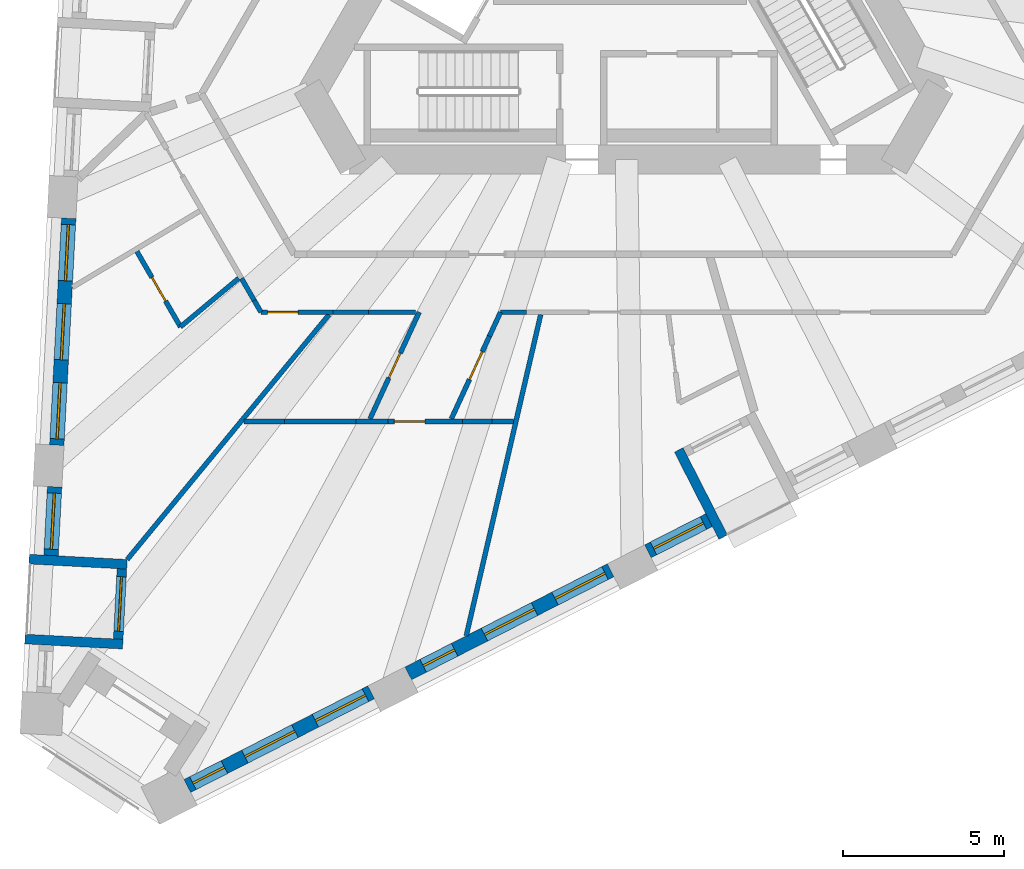
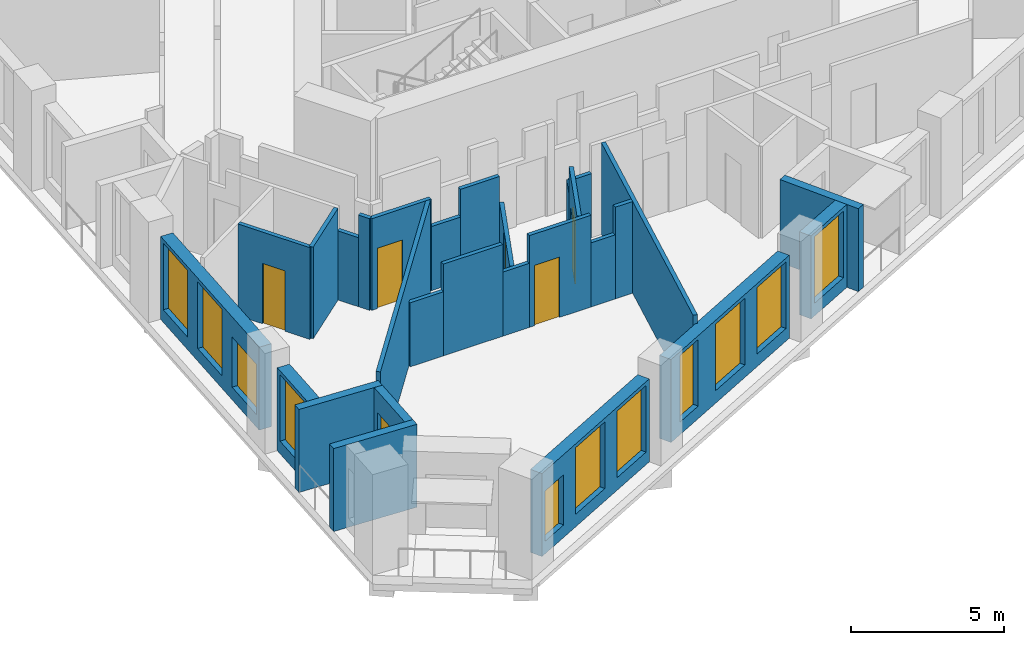
# One storey, part 2 of 13: 28 walls, 11 windows, 6 doors, 17 openings.
"""IFC4 building model written with IfcOpenShell, lengths in metres."""

from ifc_helpers import new_model, si_unit, direction, frame, frame_2d, origin, place, context, subcontext, project, spatial, rectangle, extrude, material, layer, layer_set, type_object, element, fill, save


model = new_model("IFC4")

# Units and contexts
model_context = context("Model", 3, precision=1e-05, world=origin(), true_north=direction((0.0, 1.0)))
body_context = subcontext(model_context, "Body", "Model", "MODEL_VIEW")
ifc_project = project(units=[si_unit("LENGTHUNIT", "METRE"), si_unit("AREAUNIT", "SQUARE_METRE"), si_unit("VOLUMEUNIT", "CUBIC_METRE"), si_unit("PLANEANGLEUNIT", "RADIAN"), si_unit("MASSUNIT", "GRAM", prefix="KILO")], contexts=[model_context])

# Site, building, storey
site_placement = place(None, origin())
site = spatial("IfcSite", under=ifc_project, at=site_placement, CompositionType="ELEMENT")
building_placement = place(site_placement, origin())
building = spatial("IfcBuilding", under=site, at=building_placement, Name="Tramontana Tower", CompositionType="ELEMENT")
storey_placement = place(building_placement, frame((0.0, 0.0, 145.60009765625)))
storey = spatial("IfcBuildingStorey", under=building, at=storey_placement, Name="L33", CompositionType="ELEMENT", Elevation=145.60009765625)

# Wall, openings, windows
ifc_material_1 = material(Name="Precast concrete 60 MPa", Category="concrete")
ifc_layer_1 = layer(ifc_material_1, 0.449951171875)
ifc_layer_set_1 = layer_set([ifc_layer_1], Name="Precast concrete 60 MPa, 450 mm")
wall_type_1 = type_object("IfcWallType", Name="EW1 Stone-faced precast wall 450", PredefinedType="SOLIDWALL", material=ifc_layer_set_1)
wall_1_placement = place(storey_placement, frame((-17.274169921875, -8.128662109375, 0.0), z_axis=(0.0, 0.0, 1.0), x_axis=(-0.052339570873, -0.998629345313, 0.0)))
wall_1 = element("IfcWall", 1, at=wall_1_placement, inside=storey, type_object=wall_type_1, Name="External wall L33 face 0 bay 5", PredefinedType="SOLIDWALL", context=body_context, shape_type="SweptSolid", body=[
    extrude(rectangle(XDim=7.071533203125, YDim=0.449951171875, at=frame_2d((3.53564453125, 0.0))), origin(), (0.0, 0.0, 1.0), 3.2998046875),
])
opening_1_placement = place(wall_1_placement, frame((0.1953125, 0.0, 0.5)))
opening_1 = element("IfcOpeningElement", 2, at=opening_1_placement, cuts=wall_1, Name="Opening M2", PredefinedType="OPENING", context=body_context, shape_type="SweptSolid", body=[
    extrude(rectangle(XDim=1.75, YDim=2.64990234375, at=frame_2d((0.875, 1.324951171875))), frame((0.0, 0.23486328125, 0.0), z_axis=(0.0, -1.0, 0.0), x_axis=(1.0, 0.0, 0.0)), (0.0, 0.0, 1.0), 0.469970703125),
])
opening_2_placement = place(wall_1_placement, frame((2.660888671875, 0.0, 0.5)))
opening_2 = element("IfcOpeningElement", 3, at=opening_2_placement, cuts=wall_1, Name="Opening M2", PredefinedType="OPENING", context=body_context, shape_type="SweptSolid", body=[
    extrude(rectangle(XDim=1.75, YDim=2.64990234375, at=frame_2d((0.875, 1.324951171875))), frame((0.0, 0.23486328125, 0.0), z_axis=(0.0, -1.0, 0.0), x_axis=(1.0, 0.0, 0.0)), (0.0, 0.0, 1.0), 0.469970703125),
])
opening_3_placement = place(wall_1_placement, frame((5.126220703125, 0.0, 0.5)))
opening_3 = element("IfcOpeningElement", 4, at=opening_3_placement, cuts=wall_1, Name="Opening M2L", PredefinedType="OPENING", context=body_context, shape_type="SweptSolid", body=[
    extrude(rectangle(XDim=1.75, YDim=2.0, at=frame_2d((0.875, 1.0))), frame((0.0, 0.23486328125, 0.0), z_axis=(0.0, -1.0, 0.0), x_axis=(1.0, 0.0, 0.0)), (0.0, 0.0, 1.0), 0.469970703125),
])
ifc_material_2 = material(Name="Aluminum frame, double glazing unit", Category="aluminium")
window_type_1 = type_object("IfcWindowType", Name="M2 Window 1.75 x 2.65", PartitioningType="SINGLE_PANEL", PredefinedType="WINDOW", material=ifc_material_2)
window_1_placement = place(opening_1_placement, origin())
window_1 = element("IfcWindow", 5, at=window_1_placement, inside=storey, type_object=window_type_1, Name="Window M2 L33 face 0 module 13", OverallHeight=2.64990234375, OverallWidth=1.75, PartitioningType="SINGLE_PANEL", PredefinedType="WINDOW", context=body_context, shape_type="SweptSolid", body=[
    extrude(rectangle(XDim=1.75, YDim=2.64990234375, at=frame_2d((0.875, 1.324951171875))), frame((0.0, 0.030029296875, 0.0), z_axis=(0.0, -1.0, 0.0), x_axis=(1.0, 0.0, 0.0)), (0.0, 0.0, 1.0), 0.06005859375),
])
fill(opening_1, window_1)
window_2_placement = place(opening_2_placement, origin())
window_2 = element("IfcWindow", 6, at=window_2_placement, inside=storey, type_object=window_type_1, Name="Window M2 L33 face 0 module 14", OverallHeight=2.64990234375, OverallWidth=1.75, PartitioningType="SINGLE_PANEL", PredefinedType="WINDOW", context=body_context, shape_type="SweptSolid", body=[
    extrude(rectangle(XDim=1.75, YDim=2.64990234375, at=frame_2d((0.875, 1.324951171875))), frame((0.0, 0.030029296875, 0.0), z_axis=(0.0, -1.0, 0.0), x_axis=(1.0, 0.0, 0.0)), (0.0, 0.0, 1.0), 0.06005859375),
])
fill(opening_2, window_2)
ifc_material_3 = material(Name="Aluminum frame, double glazing unit", Category="aluminium")
window_type_2 = type_object("IfcWindowType", Name="M2L Window 1.75 x 2", PartitioningType="SINGLE_PANEL", PredefinedType="WINDOW", material=ifc_material_3)
window_3_placement = place(opening_3_placement, origin())
window_3 = element("IfcWindow", 7, at=window_3_placement, inside=storey, type_object=window_type_2, Name="Window M2L L33 face 0 module 15", OverallHeight=2.0, OverallWidth=1.75, PartitioningType="SINGLE_PANEL", PredefinedType="WINDOW", context=body_context, shape_type="SweptSolid", body=[
    extrude(rectangle(XDim=1.75, YDim=2.0, at=frame_2d((0.875, 1.0))), frame((0.0, 0.030029296875, 0.0), z_axis=(0.0, -1.0, 0.0), x_axis=(1.0, 0.0, 0.0)), (0.0, 0.0, 1.0), 0.06005859375),
])
fill(opening_3, window_3)

# Wall, opening, window
wall_2_placement = place(storey_placement, frame((-17.712158203125, -16.48876953125, 0.0), z_axis=(0.0, 0.0, 1.0), x_axis=(-0.05234931875, -0.998628834366, 0.0)))
wall_2 = element("IfcWall", 8, at=wall_2_placement, inside=storey, type_object=wall_type_1, Name="External wall L33 face 0 bay 6", PredefinedType="SOLIDWALL", context=body_context, shape_type="SweptSolid", body=[
    extrude(rectangle(XDim=2.140625, YDim=0.449951171875, at=frame_2d((1.0703125, 0.0))), origin(), (0.0, 0.0, 1.0), 3.2998046875),
])
opening_4_placement = place(wall_2_placement, frame((0.1953125, 0.0, 0.5)))
opening_4 = element("IfcOpeningElement", 9, at=opening_4_placement, cuts=wall_2, Name="Opening M2", PredefinedType="OPENING", context=body_context, shape_type="SweptSolid", body=[
    extrude(rectangle(XDim=1.75, YDim=2.64990234375, at=frame_2d((0.875, 1.324951171875))), frame((0.0, 0.23486328125, 0.0), z_axis=(0.0, -1.0, 0.0), x_axis=(1.0, 0.0, 0.0)), (0.0, 0.0, 1.0), 0.469970703125),
])
window_4_placement = place(opening_4_placement, origin())
window_4 = element("IfcWindow", 10, at=window_4_placement, inside=storey, type_object=window_type_1, Name="Window M2 L33 face 0 module 16", OverallHeight=2.64990234375, OverallWidth=1.75, PartitioningType="SINGLE_PANEL", PredefinedType="WINDOW", context=body_context, shape_type="SweptSolid", body=[
    extrude(rectangle(XDim=1.75, YDim=2.64990234375, at=frame_2d((0.875, 1.324951171875))), frame((0.0, 0.030029296875, 0.0), z_axis=(0.0, -1.0, 0.0), x_axis=(1.0, 0.0, 0.0)), (0.0, 0.0, 1.0), 0.06005859375),
])
fill(opening_4, window_4)

# Wall, openings, windows
wall_3_placement = place(storey_placement, frame((-13.580810546875, -25.802734375, 0.0), z_axis=(0.0, 0.0, 1.0), x_axis=(0.891010191031, 0.453983303085, 0.0)))
wall_3 = element("IfcWall", 11, at=wall_3_placement, inside=storey, type_object=wall_type_1, Name="External wall L33 face 1 bay 1", PredefinedType="SOLIDWALL", context=body_context, shape_type="SweptSolid", body=[
    extrude(rectangle(XDim=6.421630859375, YDim=0.449951171875, at=frame_2d((3.2109375, 0.0))), origin(), (0.0, 0.0, 1.0), 3.2998046875),
])
opening_5_placement = place(wall_3_placement, frame((0.1953125, 0.0, 0.5)))
opening_5 = element("IfcOpeningElement", 12, at=opening_5_placement, cuts=wall_3, Name="Opening N2L", PredefinedType="OPENING", context=body_context, shape_type="SweptSolid", body=[
    extrude(rectangle(XDim=1.10009765625, YDim=2.0, at=frame_2d((0.550048828125, 1.0))), frame((0.0, 0.23486328125, 0.0), z_axis=(0.0, -1.0, 0.0), x_axis=(1.0, 0.0, 0.0)), (0.0, 0.0, 1.0), 0.469970703125),
])
opening_6_placement = place(wall_3_placement, frame((2.0107421875, 0.0, 0.5)))
opening_6 = element("IfcOpeningElement", 13, at=opening_6_placement, cuts=wall_3, Name="Opening M2", PredefinedType="OPENING", context=body_context, shape_type="SweptSolid", body=[
    extrude(rectangle(XDim=1.75, YDim=2.64990234375, at=frame_2d((0.875, 1.324951171875))), frame((0.0, 0.23486328125, 0.0), z_axis=(0.0, -1.0, 0.0), x_axis=(1.0, 0.0, 0.0)), (0.0, 0.0, 1.0), 0.469970703125),
])
opening_7_placement = place(wall_3_placement, frame((4.476318359375, 0.0, 0.5)))
opening_7 = element("IfcOpeningElement", 14, at=opening_7_placement, cuts=wall_3, Name="Opening M2", PredefinedType="OPENING", context=body_context, shape_type="SweptSolid", body=[
    extrude(rectangle(XDim=1.75, YDim=2.64990234375, at=frame_2d((0.875, 1.324951171875))), frame((0.0, 0.23486328125, 0.0), z_axis=(0.0, -1.0, 0.0), x_axis=(1.0, 0.0, 0.0)), (0.0, 0.0, 1.0), 0.469970703125),
])
window_5_placement = place(opening_6_placement, origin())
window_5 = element("IfcWindow", 15, at=window_5_placement, inside=storey, type_object=window_type_1, Name="Window M2 L33 face 1 module 2", OverallHeight=2.64990234375, OverallWidth=1.75, PartitioningType="SINGLE_PANEL", PredefinedType="WINDOW", context=body_context, shape_type="SweptSolid", body=[
    extrude(rectangle(XDim=1.75, YDim=2.64990234375, at=frame_2d((0.875, 1.324951171875))), frame((0.0, 0.030029296875, 0.0), z_axis=(0.0, -1.0, 0.0), x_axis=(1.0, 0.0, 0.0)), (0.0, 0.0, 1.0), 0.06005859375),
])
fill(opening_6, window_5)
window_6_placement = place(opening_7_placement, origin())
window_6 = element("IfcWindow", 16, at=window_6_placement, inside=storey, type_object=window_type_1, Name="Window M2 L33 face 1 module 3", OverallHeight=2.64990234375, OverallWidth=1.75, PartitioningType="SINGLE_PANEL", PredefinedType="WINDOW", context=body_context, shape_type="SweptSolid", body=[
    extrude(rectangle(XDim=1.75, YDim=2.64990234375, at=frame_2d((0.875, 1.324951171875))), frame((0.0, 0.030029296875, 0.0), z_axis=(0.0, -1.0, 0.0), x_axis=(1.0, 0.0, 0.0)), (0.0, 0.0, 1.0), 0.06005859375),
])
fill(opening_7, window_6)
ifc_material_4 = material(Name="Aluminum frame, double glazing unit", Category="aluminium")
window_type_3 = type_object("IfcWindowType", Name="N2L Window 1.1 x 2", PartitioningType="SINGLE_PANEL", PredefinedType="WINDOW", material=ifc_material_4)
window_7_placement = place(opening_5_placement, origin())
window_7 = element("IfcWindow", 17, at=window_7_placement, inside=storey, type_object=window_type_3, Name="Window N2L L33 face 1 module 1", OverallHeight=2.0, OverallWidth=1.10009765625, PartitioningType="SINGLE_PANEL", PredefinedType="WINDOW", context=body_context, shape_type="SweptSolid", body=[
    extrude(rectangle(XDim=1.10009765625, YDim=2.0, at=frame_2d((0.550048828125, 1.0))), frame((0.0, 0.030029296875, 0.0), z_axis=(0.0, -1.0, 0.0), x_axis=(1.0, 0.0, 0.0)), (0.0, 0.0, 1.0), 0.06005859375),
])
fill(opening_5, window_7)

wall_4_placement = place(storey_placement, frame((-6.70068359375, -22.29736328125, 0.0), z_axis=(0.0, 0.0, 1.0), x_axis=(0.891004189171, 0.45399508244, 0.0)))
wall_4 = element("IfcWall", 18, at=wall_4_placement, inside=storey, type_object=wall_type_1, Name="External wall L33 face 1 bay 2", PredefinedType="SOLIDWALL", context=body_context, shape_type="SweptSolid", body=[
    extrude(rectangle(XDim=7.071533203125, YDim=0.449951171875, at=frame_2d((3.53564453125, 0.0))), origin(), (0.0, 0.0, 1.0), 3.2998046875),
])
opening_8_placement = place(wall_4_placement, frame((0.520263671875, 0.0, 0.5)))
opening_8 = element("IfcOpeningElement", 19, at=opening_8_placement, cuts=wall_4, Name="Opening N2", PredefinedType="OPENING", context=body_context, shape_type="SweptSolid", body=[
    extrude(rectangle(XDim=1.10009765625, YDim=2.64990234375, at=frame_2d((0.550048828125, 1.324951171875))), frame((0.0, 0.23486328125, 0.0), z_axis=(0.0, -1.0, 0.0), x_axis=(1.0, 0.0, 0.0)), (0.0, 0.0, 1.0), 0.469970703125),
])
opening_9_placement = place(wall_4_placement, frame((2.660888671875, 0.0, 0.5)))
opening_9 = element("IfcOpeningElement", 20, at=opening_9_placement, cuts=wall_4, Name="Opening M2", PredefinedType="OPENING", context=body_context, shape_type="SweptSolid", body=[
    extrude(rectangle(XDim=1.75, YDim=2.64990234375, at=frame_2d((0.875, 1.324951171875))), frame((0.0, 0.23486328125, 0.0), z_axis=(0.0, -1.0, 0.0), x_axis=(1.0, 0.0, 0.0)), (0.0, 0.0, 1.0), 0.469970703125),
])
opening_10_placement = place(wall_4_placement, frame((5.126220703125, 0.0, 0.5)))
opening_10 = element("IfcOpeningElement", 21, at=opening_10_placement, cuts=wall_4, Name="Opening M2", PredefinedType="OPENING", context=body_context, shape_type="SweptSolid", body=[
    extrude(rectangle(XDim=1.75, YDim=2.64990234375, at=frame_2d((0.875, 1.324951171875))), frame((0.0, 0.23486328125, 0.0), z_axis=(0.0, -1.0, 0.0), x_axis=(1.0, 0.0, 0.0)), (0.0, 0.0, 1.0), 0.469970703125),
])
window_8_placement = place(opening_9_placement, origin())
window_8 = element("IfcWindow", 22, at=window_8_placement, inside=storey, type_object=window_type_1, Name="Window M2 L33 face 1 module 5", OverallHeight=2.64990234375, OverallWidth=1.75, PartitioningType="SINGLE_PANEL", PredefinedType="WINDOW", context=body_context, shape_type="SweptSolid", body=[
    extrude(rectangle(XDim=1.75, YDim=2.64990234375, at=frame_2d((0.875, 1.324951171875))), frame((0.0, 0.030029296875, 0.0), z_axis=(0.0, -1.0, 0.0), x_axis=(1.0, 0.0, 0.0)), (0.0, 0.0, 1.0), 0.06005859375),
])
fill(opening_9, window_8)
window_9_placement = place(opening_10_placement, origin())
window_9 = element("IfcWindow", 23, at=window_9_placement, inside=storey, type_object=window_type_1, Name="Window M2 L33 face 1 module 6", OverallHeight=2.64990234375, OverallWidth=1.75, PartitioningType="SINGLE_PANEL", PredefinedType="WINDOW", context=body_context, shape_type="SweptSolid", body=[
    extrude(rectangle(XDim=1.75, YDim=2.64990234375, at=frame_2d((0.875, 1.324951171875))), frame((0.0, 0.030029296875, 0.0), z_axis=(0.0, -1.0, 0.0), x_axis=(1.0, 0.0, 0.0)), (0.0, 0.0, 1.0), 0.06005859375),
])
fill(opening_10, window_9)
ifc_material_5 = material(Name="Aluminum frame, double glazing unit", Category="aluminium")
window_type_4 = type_object("IfcWindowType", Name="N2 Window 1.1 x 2.65", PartitioningType="SINGLE_PANEL", PredefinedType="WINDOW", material=ifc_material_5)
window_10_placement = place(opening_8_placement, origin())
window_10 = element("IfcWindow", 24, at=window_10_placement, inside=storey, type_object=window_type_4, Name="Window N2 L33 face 1 module 4", OverallHeight=2.64990234375, OverallWidth=1.10009765625, PartitioningType="SINGLE_PANEL", PredefinedType="WINDOW", context=body_context, shape_type="SweptSolid", body=[
    extrude(rectangle(XDim=1.10009765625, YDim=2.64990234375, at=frame_2d((0.550048828125, 1.324951171875))), frame((0.0, 0.030029296875, 0.0), z_axis=(0.0, -1.0, 0.0), x_axis=(1.0, 0.0, 0.0)), (0.0, 0.0, 1.0), 0.06005859375),
])
fill(opening_8, window_10)

# Wall, opening, window
wall_5_placement = place(storey_placement, frame((0.75830078125, -18.496826171875, 0.0), z_axis=(0.0, 0.0, 1.0), x_axis=(0.890979432498, 0.454043666254, 0.0)))
wall_5 = element("IfcWall", 25, at=wall_5_placement, inside=storey, type_object=wall_type_1, Name="External wall L33 face 1 bay 3", PredefinedType="SOLIDWALL", context=body_context, shape_type="SweptSolid", body=[
    extrude(rectangle(XDim=2.140625, YDim=0.449951171875, at=frame_2d((1.0703125, 0.0))), origin(), (0.0, 0.0, 1.0), 3.2998046875),
])
opening_11_placement = place(wall_5_placement, frame((0.1953125, 0.0, 0.5)))
opening_11 = element("IfcOpeningElement", 26, at=opening_11_placement, cuts=wall_5, Name="Opening M2", PredefinedType="OPENING", context=body_context, shape_type="SweptSolid", body=[
    extrude(rectangle(XDim=1.75, YDim=2.64990234375, at=frame_2d((0.875, 1.324951171875))), frame((0.0, 0.23486328125, 0.0), z_axis=(0.0, -1.0, 0.0), x_axis=(1.0, 0.0, 0.0)), (0.0, 0.0, 1.0), 0.469970703125),
])
window_11_placement = place(opening_11_placement, origin())
window_11 = element("IfcWindow", 27, at=window_11_placement, inside=storey, type_object=window_type_1, Name="Window M2 L33 face 1 module 7", OverallHeight=2.64990234375, OverallWidth=1.75, PartitioningType="SINGLE_PANEL", PredefinedType="WINDOW", context=body_context, shape_type="SweptSolid", body=[
    extrude(rectangle(XDim=1.75, YDim=2.64990234375, at=frame_2d((0.875, 1.324951171875))), frame((0.0, 0.030029296875, 0.0), z_axis=(0.0, -1.0, 0.0), x_axis=(1.0, 0.0, 0.0)), (0.0, 0.0, 1.0), 0.06005859375),
])
fill(opening_11, window_11)

# Wall, opening, door
ifc_material_6 = material(Name="Precast concrete 60 MPa", Category="concrete")
ifc_layer_2 = layer(ifc_material_6, 0.300048828125)
ifc_layer_set_2 = layer_set([ifc_layer_2], Name="LW1 Stone-faced loggia wall 300")
wall_type_2 = type_object("IfcWallType", Name="LW1 Stone-faced loggia wall 300", PredefinedType="SOLIDWALL", material=ifc_layer_set_2)
wall_6_placement = place(storey_placement, frame((-15.617919921875, -19.04248046875, 0.0), z_axis=(0.0, 0.0, 1.0), x_axis=(-0.052383338583, -0.998627050424, 0.0)))
wall_6 = element("IfcWall", 28, at=wall_6_placement, inside=storey, type_object=wall_type_2, Name="Loggia wall L33 G3S0.16", PredefinedType="SOLIDWALL", context=body_context, shape_type="SweptSolid", body=[
    extrude(rectangle(XDim=2.1904296875, YDim=0.300048828125, at=frame_2d((1.09521484375, 0.0))), origin(), (0.0, 0.0, 1.0), 3.2998046875),
])
opening_12_placement = place(wall_6_placement, frame((0.245361328125, 0.0, 0.0)))
opening_12 = element("IfcOpeningElement", 29, at=opening_12_placement, cuts=wall_6, Name="Opening BD-3S0-16", PredefinedType="OPENING", context=body_context, shape_type="SweptSolid", body=[
    extrude(rectangle(XDim=1.699951171875, YDim=2.449951171875, at=frame_2d((0.85009765625, 1.22509765625))), frame((0.0, 0.159912109375, 0.0), z_axis=(0.0, -1.0, 0.0), x_axis=(1.0, 0.0, 0.0)), (0.0, 0.0, 1.0), 0.320068359375),
])
ifc_material_7 = material(Name="Aluminum frame, double glazing unit", Category="aluminium")
door_type_1 = type_object("IfcDoorType", Name="BD2 Sliding door 1.7 x 2.45", OperationType="SLIDING_TO_LEFT", PredefinedType="DOOR", material=ifc_material_7)
door_1_placement = place(opening_12_placement, origin())
door_1 = element("IfcDoor", 30, at=door_1_placement, inside=storey, type_object=door_type_1, Name="Loggia door L33 G3S0.16", OperationType="SLIDING_TO_LEFT", OverallHeight=2.449951171875, OverallWidth=1.699951171875, PredefinedType="DOOR", context=body_context, shape_type="SweptSolid", body=[
    extrude(rectangle(XDim=1.699951171875, YDim=2.449951171875, at=frame_2d((0.85009765625, 1.22509765625))), frame((0.0, 0.02490234375, 0.0), z_axis=(0.0, -1.0, 0.0), x_axis=(1.0, 0.0, 0.0)), (0.0, 0.0, 1.0), 0.050048828125),
])
fill(opening_12, door_1)

# Walls
for number, where, z_axis, x_axis, name in (
    (31, (-18.506103515625, -18.74072265625, 0.0), (0.0, 0.0, 1.0), (0.998628643661, -0.052352956549, 0.0), "Loggia return L33 G3S0.16a"),
    (32, (-18.636474609375, -21.22802734375, 0.0), (0.0, 0.0, 1.0), (0.998632825615, -0.05227312506, 0.0), "Loggia return L33 G3S0.16b"),
):
    element("IfcWall", number, at=place(storey_placement, frame(where, z_axis=z_axis, x_axis=x_axis)), inside=storey, type_object=wall_type_2, Name=name, PredefinedType="SOLIDWALL", context=body_context, shape_type="SweptSolid", body=[
        extrude(rectangle(XDim=3.0498046875, YDim=0.300048828125, at=frame_2d((1.52490234375, 0.0))), origin(), (0.0, 0.0, 1.0), 3.2998046875),
    ])
wall_7_placement = place(storey_placement, frame((3.105712890625, -18.058349609375, 0.0), z_axis=(0.0, 0.0, 1.0), x_axis=(-0.453988129332, 0.891007731968, 0.0)))
element("IfcWall", 33, at=wall_7_placement, inside=storey, type_object=wall_type_2, Name="Loggia return L33 G3S1.7a", PredefinedType="SOLIDWALL", context=body_context, shape_type="SweptSolid", body=[
    extrude(rectangle(XDim=3.05029296875, YDim=0.300048828125, at=frame_2d((1.525146484375, 0.0))), origin(), (0.0, 0.0, 1.0), 3.2998046875),
])
ifc_material_8 = material(Name="Gypsum board partition")
ifc_layer_3 = layer(ifc_material_8, 0.14990234375)
ifc_layer_set_3 = layer_set([ifc_layer_3], Name="PARTITION 150")
wall_type_3 = type_object("IfcWallType", Name="PARTITION 150", PredefinedType="PARTITIONING", material=ifc_layer_set_3)
wall_8_placement = place(storey_placement, frame((-15.452392578125, -18.750732421875, 0.0), z_axis=(0.0, 0.0, 1.0), x_axis=(0.63595836467, 0.771723369094, 0.0)))
element("IfcWall", 34, at=wall_8_placement, inside=storey, type_object=wall_type_3, Name="Wall v31-pw01", PredefinedType="PARTITIONING", context=body_context, shape_type="SweptSolid", body=[
    extrude(rectangle(XDim=9.88134765625, YDim=0.14990234375, at=frame_2d((4.940673828125, 0.0))), origin(), (0.0, 0.0, 1.0), 3.64990234375),
])

# Wall, opening, door
wall_9_placement = place(storey_placement, frame((-15.1494140625, -9.160400390625, 0.0), z_axis=(0.0, 0.0, 1.0), x_axis=(0.499995396135, -0.866028061811, 0.0)))
wall_9 = element("IfcWall", 35, at=wall_9_placement, inside=storey, type_object=wall_type_3, Name="Wall v31-pw06", PredefinedType="PARTITIONING", context=body_context, shape_type="SweptSolid", body=[
    extrude(rectangle(XDim=2.7099609375, YDim=0.14990234375, at=frame_2d((1.35498046875, 0.0))), origin(), (0.0, 0.0, 1.0), 3.64990234375),
])
opening_13_placement = place(wall_9_placement, frame((0.929931640625, 0.0, 0.0)))
opening_13 = element("IfcOpeningElement", 36, at=opening_13_placement, cuts=wall_9, Name="Opening B3B-15", PredefinedType="OPENING", context=body_context, shape_type="SweptSolid", body=[
    extrude(rectangle(XDim=0.85009765625, YDim=2.39990234375, at=frame_2d((0.425048828125, 1.199951171875))), frame((0.0, 0.0849609375, 0.0), z_axis=(0.0, -1.0, 0.0), x_axis=(1.0, 0.0, 0.0)), (0.0, 0.0, 1.0), 0.169921875),
])
ifc_material_9 = material(Name="Painted timber", Category="wood")
door_type_2 = type_object("IfcDoorType", Name="DOOR BATH 850", OperationType="SINGLE_SWING_LEFT", PredefinedType="DOOR", material=ifc_material_9)
door_2_placement = place(opening_13_placement, origin())
door_2 = element("IfcDoor", 37, at=door_2_placement, inside=storey, type_object=door_type_2, Name="Door B3B-15", OperationType="SINGLE_SWING_LEFT", OverallHeight=2.39990234375, OverallWidth=0.85009765625, PredefinedType="DOOR", context=body_context, shape_type="SweptSolid", body=[
    extrude(rectangle(XDim=0.85009765625, YDim=2.39990234375, at=frame_2d((0.425048828125, 1.199951171875))), frame((0.0, 0.02490234375, 0.0), z_axis=(0.0, -1.0, 0.0), x_axis=(1.0, 0.0, 0.0)), (0.0, 0.0, 1.0), 0.050048828125),
])
fill(opening_13, door_2)

# Walls
wall_10_placement = place(storey_placement, frame((-11.982421875, -9.995849609375, 0.0), z_axis=(0.0, 0.0, 1.0), x_axis=(-0.767915886213, -0.640550694091, 0.0)))
element("IfcWall", 38, at=wall_10_placement, inside=storey, type_object=wall_type_3, Name="Wall v31-pw09", PredefinedType="PARTITIONING", context=body_context, shape_type="SweptSolid", body=[
    extrude(rectangle(XDim=2.359619140625, YDim=0.14990234375, at=frame_2d((1.1796875, 0.0))), origin(), (0.0, 0.0, 1.0), 3.64990234375),
])
wall_11_placement = place(storey_placement, frame((-11.287109375, -11.050048828125, 0.0), z_axis=(0.0, 0.0, 1.0), x_axis=(-0.499922110319, 0.866070368743, 0.0)))
element("IfcWall", 39, at=wall_11_placement, inside=storey, type_object=wall_type_3, Name="Wall v31-pw11-0", PredefinedType="PARTITIONING", context=body_context, shape_type="SweptSolid", body=[
    extrude(rectangle(XDim=0.42333984375, YDim=0.14990234375, at=frame_2d((0.211669921875, 0.0))), origin(), (0.0, 0.0, 1.0), 3.64990234375),
])
wall_12_placement = place(storey_placement, frame((-11.498779296875, -10.683349609375, 0.0), z_axis=(0.0, 0.0, 1.0), x_axis=(-0.50012328804, 0.865954211699, 0.0)))
element("IfcWall", 40, at=wall_12_placement, inside=storey, type_object=wall_type_3, Name="Wall v31-pw11-1", PredefinedType="PARTITIONING", context=body_context, shape_type="SweptSolid", body=[
    extrude(rectangle(XDim=0.790771484375, YDim=0.14990234375, at=frame_2d((0.3955078125, 0.0))), origin(), (0.0, 0.0, 1.0), 2.75),
])

# Wall, opening, door
wall_13_placement = place(storey_placement, frame((-7.89501953125, -14.375, 0.0), z_axis=(0.0, 0.0, 1.0), x_axis=(0.418745248329, 0.908103747929, 0.0)))
wall_13 = element("IfcWall", 41, at=wall_13_placement, inside=storey, type_object=wall_type_3, Name="Wall v31-pw16-0", PredefinedType="PARTITIONING", context=body_context, shape_type="SweptSolid", body=[
    extrude(rectangle(XDim=3.661376953125, YDim=0.14990234375, at=frame_2d((1.83056640625, 0.0))), origin(), (0.0, 0.0, 1.0), 2.5498046875),
])
opening_14_placement = place(wall_13_placement, frame((1.40576171875, 0.0, 0.0)))
opening_14 = element("IfcOpeningElement", 42, at=opening_14_placement, cuts=wall_13, Name="Opening B3B-10", PredefinedType="OPENING", context=body_context, shape_type="SweptSolid", body=[
    extrude(rectangle(XDim=0.85009765625, YDim=2.39990234375, at=frame_2d((0.425048828125, 1.199951171875))), frame((0.0, 0.0849609375, 0.0), z_axis=(0.0, -1.0, 0.0), x_axis=(1.0, 0.0, 0.0)), (0.0, 0.0, 1.0), 0.169921875),
])
door_3_placement = place(opening_14_placement, origin())
door_3 = element("IfcDoor", 43, at=door_3_placement, inside=storey, type_object=door_type_2, Name="Door B3B-10", OperationType="SINGLE_SWING_RIGHT", OverallHeight=2.39990234375, OverallWidth=0.85009765625, PredefinedType="DOOR", context=body_context, shape_type="SweptSolid", body=[
    extrude(rectangle(XDim=0.85009765625, YDim=2.39990234375, at=frame_2d((0.425048828125, 1.199951171875))), frame((0.0, 0.02490234375, 0.0), z_axis=(0.0, -1.0, 0.0), x_axis=(1.0, 0.0, 0.0)), (0.0, 0.0, 1.0), 0.050048828125),
])
fill(opening_14, door_3)

# Walls
wall_14_placement = place(storey_placement, frame((-6.48291015625, -11.050048828125, 0.0), z_axis=(0.0, 0.0, 1.0), x_axis=(-1.0, 0.0, 0.0)))
element("IfcWall", 44, at=wall_14_placement, inside=storey, type_object=wall_type_3, Name="Wall v31-pw20-1", PredefinedType="PARTITIONING", context=body_context, shape_type="SweptSolid", body=[
    extrude(rectangle(XDim=1.461669921875, YDim=0.14990234375, at=frame_2d((0.73095703125, 0.0))), origin(), (0.0, 0.0, 1.0), 3.64990234375),
])
wall_15_placement = place(storey_placement, frame((-7.944580078125, -11.050048828125, 0.0), z_axis=(0.0, 0.0, 1.0), x_axis=(-1.0, 0.0, 0.0)))
element("IfcWall", 45, at=wall_15_placement, inside=storey, type_object=wall_type_3, Name="Wall v31-pw20-2", PredefinedType="PARTITIONING", context=body_context, shape_type="SweptSolid", body=[
    extrude(rectangle(XDim=1.103759765625, YDim=0.14990234375, at=frame_2d((0.5517578125, 0.0))), origin(), (0.0, 0.0, 1.0), 2.5498046875),
])

# Wall, opening, door
wall_16_placement = place(storey_placement, frame((-9.04833984375, -11.050048828125, 0.0), z_axis=(0.0, 0.0, 1.0), x_axis=(-1.0, 0.0, 0.0)))
wall_16 = element("IfcWall", 46, at=wall_16_placement, inside=storey, type_object=wall_type_3, Name="Wall v31-pw20-3", PredefinedType="PARTITIONING", context=body_context, shape_type="SweptSolid", body=[
    extrude(rectangle(XDim=2.23876953125, YDim=0.14990234375, at=frame_2d((1.119384765625, 0.0))), origin(), (0.0, 0.0, 1.0), 3.64990234375),
])
opening_15_placement = place(wall_16_placement, frame((1.08349609375, 0.0, 0.0)))
opening_15 = element("IfcOpeningElement", 47, at=opening_15_placement, cuts=wall_16, Name="Opening B3B-12", PredefinedType="OPENING", context=body_context, shape_type="SweptSolid", body=[
    extrude(rectangle(XDim=0.949951171875, YDim=2.39990234375, at=frame_2d((0.47509765625, 1.199951171875))), frame((0.0, 0.0849609375, 0.0), z_axis=(0.0, -1.0, 0.0), x_axis=(1.0, 0.0, 0.0)), (0.0, 0.0, 1.0), 0.169921875),
])
ifc_material_10 = material(Name="Painted timber", Category="wood")
door_type_3 = type_object("IfcDoorType", Name="DOOR ROOM 950", OperationType="SINGLE_SWING_LEFT", PredefinedType="DOOR", material=ifc_material_10)
door_4_placement = place(opening_15_placement, origin())
door_4 = element("IfcDoor", 48, at=door_4_placement, inside=storey, type_object=door_type_3, Name="Door B3B-12", OperationType="SINGLE_SWING_RIGHT", OverallHeight=2.39990234375, OverallWidth=0.949951171875, PredefinedType="DOOR", context=body_context, shape_type="SweptSolid", body=[
    extrude(rectangle(XDim=0.949951171875, YDim=2.39990234375, at=frame_2d((0.47509765625, 1.199951171875))), frame((0.0, 0.02490234375, 0.0), z_axis=(0.0, -1.0, 0.0), x_axis=(1.0, 0.0, 0.0)), (0.0, 0.0, 1.0), 0.050048828125),
])
fill(opening_15, door_4)

# Wall
wall_17_placement = place(storey_placement, frame((-3.8291015625, -11.050048828125, 0.0), z_axis=(0.0, 0.0, 1.0), x_axis=(-0.418663560872, -0.908141411234, 0.0)))
element("IfcWall", 49, at=wall_17_placement, inside=storey, type_object=wall_type_3, Name="Wall v31-pw23-0", PredefinedType="PARTITIONING", context=body_context, shape_type="SweptSolid", body=[
    extrude(rectangle(XDim=0.823974609375, YDim=0.14990234375, at=frame_2d((0.412109375, 0.0))), origin(), (0.0, 0.0, 1.0), 2.5498046875),
])

# Wall, opening, door
wall_18_placement = place(storey_placement, frame((-4.174072265625, -11.79833984375, 0.0), z_axis=(0.0, 0.0, 1.0), x_axis=(-0.418768969378, -0.908092809291, 0.0)))
wall_18 = element("IfcWall", 50, at=wall_18_placement, inside=storey, type_object=wall_type_3, Name="Wall v31-pw23-1", PredefinedType="PARTITIONING", context=body_context, shape_type="SweptSolid", body=[
    extrude(rectangle(XDim=2.83740234375, YDim=0.14990234375, at=frame_2d((1.418701171875, 0.0))), origin(), (0.0, 0.0, 1.0), 3.64990234375),
])
opening_16_placement = place(wall_18_placement, frame((0.53173828125, 0.0, 0.0)))
opening_16 = element("IfcOpeningElement", 51, at=opening_16_placement, cuts=wall_18, Name="Opening B3B-09", PredefinedType="OPENING", context=body_context, shape_type="SweptSolid", body=[
    extrude(rectangle(XDim=0.949951171875, YDim=2.39990234375, at=frame_2d((0.47509765625, 1.199951171875))), frame((0.0, 0.0849609375, 0.0), z_axis=(0.0, -1.0, 0.0), x_axis=(1.0, 0.0, 0.0)), (0.0, 0.0, 1.0), 0.169921875),
])
door_5_placement = place(opening_16_placement, origin())
door_5 = element("IfcDoor", 52, at=door_5_placement, inside=storey, type_object=door_type_3, Name="Door B3B-09", OperationType="SINGLE_SWING_LEFT", OverallHeight=2.39990234375, OverallWidth=0.949951171875, PredefinedType="DOOR", context=body_context, shape_type="SweptSolid", body=[
    extrude(rectangle(XDim=0.949951171875, YDim=2.39990234375, at=frame_2d((0.47509765625, 1.199951171875))), frame((0.0, 0.02490234375, 0.0), z_axis=(0.0, -1.0, 0.0), x_axis=(1.0, 0.0, 0.0)), (0.0, 0.0, 1.0), 0.050048828125),
])
fill(opening_16, door_5)

# Walls
wall_19_placement = place(storey_placement, frame((-3.42578125, -14.449951171875, 0.0), z_axis=(0.0, 0.0, 1.0), x_axis=(-1.0, 0.0, 0.0)))
element("IfcWall", 53, at=wall_19_placement, inside=storey, type_object=wall_type_3, Name="Wall v31-pw24-0", PredefinedType="PARTITIONING", context=body_context, shape_type="SweptSolid", body=[
    extrude(rectangle(XDim=0.666015625, YDim=0.14990234375, at=frame_2d((0.3330078125, 0.0))), origin(), (0.0, 0.0, 1.0), 3.64990234375),
])
wall_20_placement = place(storey_placement, frame((-4.091796875, -14.449951171875, 0.0), z_axis=(0.0, 0.0, 1.0), x_axis=(-1.0, 0.0, 0.0)))
element("IfcWall", 54, at=wall_20_placement, inside=storey, type_object=wall_type_3, Name="Wall v31-pw24-1", PredefinedType="PARTITIONING", context=body_context, shape_type="SweptSolid", body=[
    extrude(rectangle(XDim=0.917236328125, YDim=0.14990234375, at=frame_2d((0.45849609375, 0.0))), origin(), (0.0, 0.0, 1.0), 2.5498046875),
])

# Wall, opening, door
wall_21_placement = place(storey_placement, frame((-5.009033203125, -14.449951171875, 0.0), z_axis=(0.0, 0.0, 1.0), x_axis=(-1.0, 0.0, 0.0)))
wall_21 = element("IfcWall", 55, at=wall_21_placement, inside=storey, type_object=wall_type_3, Name="Wall v31-pw24-2", PredefinedType="PARTITIONING", context=body_context, shape_type="SweptSolid", body=[
    extrude(rectangle(XDim=2.320556640625, YDim=0.14990234375, at=frame_2d((1.16015625, 0.0))), origin(), (0.0, 0.0, 1.0), 3.64990234375),
])
opening_17_placement = place(wall_21_placement, frame((1.178466796875, 0.0, 0.0)))
opening_17 = element("IfcOpeningElement", 56, at=opening_17_placement, cuts=wall_21, Name="Opening B3B-11", PredefinedType="OPENING", context=body_context, shape_type="SweptSolid", body=[
    extrude(rectangle(XDim=0.949951171875, YDim=2.39990234375, at=frame_2d((0.47509765625, 1.199951171875))), frame((0.0, 0.0849609375, 0.0), z_axis=(0.0, -1.0, 0.0), x_axis=(1.0, 0.0, 0.0)), (0.0, 0.0, 1.0), 0.169921875),
])
door_6_placement = place(opening_17_placement, origin())
door_6 = element("IfcDoor", 57, at=door_6_placement, inside=storey, type_object=door_type_3, Name="Door B3B-11", OperationType="SINGLE_SWING_LEFT", OverallHeight=2.39990234375, OverallWidth=0.949951171875, PredefinedType="DOOR", context=body_context, shape_type="SweptSolid", body=[
    extrude(rectangle(XDim=0.949951171875, YDim=2.39990234375, at=frame_2d((0.47509765625, 1.199951171875))), frame((0.0, 0.02490234375, 0.0), z_axis=(0.0, -1.0, 0.0), x_axis=(1.0, 0.0, 0.0)), (0.0, 0.0, 1.0), 0.050048828125),
])
fill(opening_17, door_6)

# Walls
wall_22_placement = place(storey_placement, frame((-7.32958984375, -14.449951171875, 0.0), z_axis=(0.0, 0.0, 1.0), x_axis=(-1.0, 0.0, 0.0)))
element("IfcWall", 58, at=wall_22_placement, inside=storey, type_object=wall_type_3, Name="Wall v31-pw24-3", PredefinedType="PARTITIONING", context=body_context, shape_type="SweptSolid", body=[
    extrude(rectangle(XDim=0.9951171875, YDim=0.14990234375, at=frame_2d((0.49755859375, 0.0))), origin(), (0.0, 0.0, 1.0), 2.5498046875),
])
wall_23_placement = place(storey_placement, frame((-8.32470703125, -14.449951171875, 0.0), z_axis=(0.0, 0.0, 1.0), x_axis=(-1.0, 0.0, 0.0)))
element("IfcWall", 59, at=wall_23_placement, inside=storey, type_object=wall_type_3, Name="Wall v31-pw24-4", PredefinedType="PARTITIONING", context=body_context, shape_type="SweptSolid", body=[
    extrude(rectangle(XDim=2.234130859375, YDim=0.14990234375, at=frame_2d((1.1171875, 0.0))), origin(), (0.0, 0.0, 1.0), 3.64990234375),
])
wall_24_placement = place(storey_placement, frame((-10.558837890625, -14.449951171875, 0.0), z_axis=(0.0, 0.0, 1.0), x_axis=(-1.0, 0.0, 0.0)))
element("IfcWall", 60, at=wall_24_placement, inside=storey, type_object=wall_type_3, Name="Wall v31-pw24-5", PredefinedType="PARTITIONING", context=body_context, shape_type="SweptSolid", body=[
    extrude(rectangle(XDim=1.252197265625, YDim=0.14990234375, at=frame_2d((0.6259765625, 0.0))), origin(), (0.0, 0.0, 1.0), 2.5498046875),
])
wall_25_placement = place(storey_placement, frame((-2.578125, -11.125, 0.0), z_axis=(0.0, 0.0, 1.0), x_axis=(-0.225778284411, -0.974178713732, 0.0)))
element("IfcWall", 61, at=wall_25_placement, inside=storey, type_object=wall_type_3, Name="Wall v31-pw25", PredefinedType="PARTITIONING", context=body_context, shape_type="SweptSolid", body=[
    extrude(rectangle(XDim=10.26513671875, YDim=0.14990234375, at=frame_2d((5.132568359375, 0.0))), origin(), (0.0, 0.0, 1.0), 3.64990234375),
])
wall_26_placement = place(storey_placement, frame((-3.02099609375, -11.050048828125, 0.0), z_axis=(0.0, 0.0, 1.0), x_axis=(-1.0, 0.0, 0.0)))
element("IfcWall", 62, at=wall_26_placement, inside=storey, type_object=wall_type_3, Name="Wall v31-pw35-5", PredefinedType="PARTITIONING", context=body_context, shape_type="SweptSolid", body=[
    extrude(rectangle(XDim=0.80810546875, YDim=0.14990234375, at=frame_2d((0.404052734375, 0.0))), origin(), (0.0, 0.0, 1.0), 2.5498046875),
])

save(model, "model.ifc")
